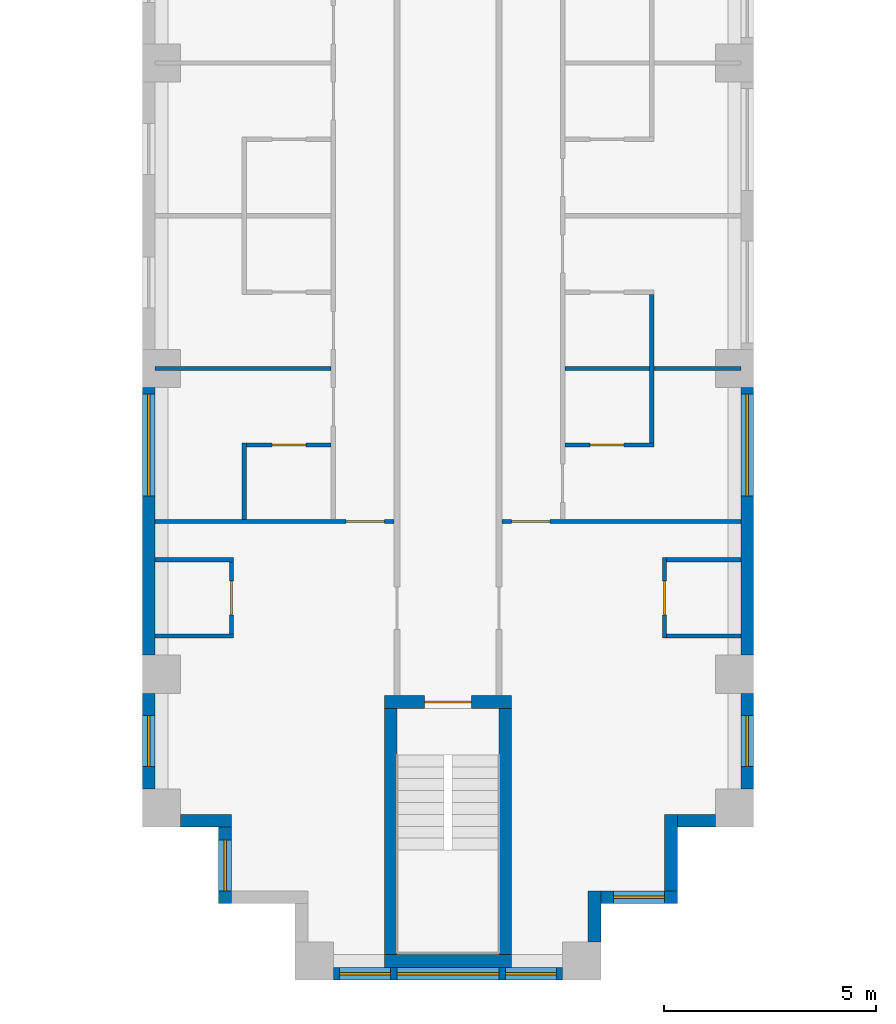
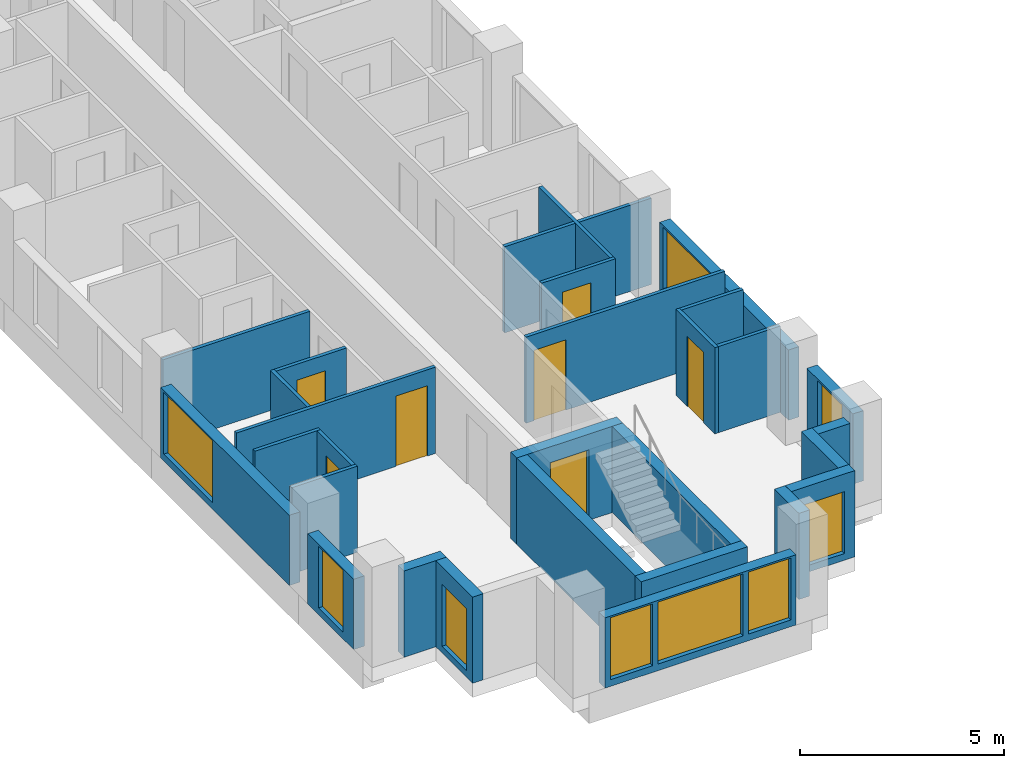
# One storey, part 3 of 14: 29 walls, 9 windows, 7 doors, 16 openings.
"""IFC4 building model written with IfcOpenShell, lengths in metres."""

from ifc_helpers import new_model, si_unit, direction, frame, frame_2d, origin, place, context, subcontext, project, spatial, rectangle, extrude, material, layer, layer_set, type_object, element, fill, save


model = new_model("IFC4")

# Units and contexts
model_context = context("Model", 3, precision=1e-05, world=origin(), true_north=direction((0.0, 1.0)))
body_context = subcontext(model_context, "Body", "Model", "MODEL_VIEW")
ifc_project = project(units=[si_unit("LENGTHUNIT", "METRE"), si_unit("AREAUNIT", "SQUARE_METRE"), si_unit("VOLUMEUNIT", "CUBIC_METRE"), si_unit("PLANEANGLEUNIT", "RADIAN"), si_unit("MASSUNIT", "GRAM", prefix="KILO")], contexts=[model_context])

# Site, building, storey
site_placement = place(None, origin())
site = spatial("IfcSite", under=ifc_project, at=site_placement, CompositionType="ELEMENT")
building_placement = place(site_placement, origin())
building = spatial("IfcBuilding", under=site, at=building_placement, Name="Fustian Cross Tower", CompositionType="ELEMENT")
storey_placement = place(building_placement, frame((0.0, 0.0, 69.89990234375)))
storey = spatial("IfcBuildingStorey", under=building, at=storey_placement, Name="L21", CompositionType="ELEMENT", Elevation=69.89990234375)

# Walls
ifc_material_1 = material(Name="Plasterboard on steel stud", Category="steel")
ifc_layer_1 = layer(ifc_material_1, 0.10009765625)
ifc_layer_set_1 = layer_set([ifc_layer_1], Name="Plasterboard on steel stud")
wall_type_1 = type_object("IfcWallType", Name="PARTITION 100 STUD", PredefinedType="PARTITIONING", material=ifc_layer_set_1)
for number, where, z_axis, x_axis, name in (
    (1, (-6.89990234375, -35.10009765625, 0.0), (0.0, 0.0, 1.0), (1.0, 0.0, 0.0), "Partition 18"),
    (2, (-6.89990234375, -33.300048828125, 0.0), (0.0, 0.0, 1.0), (1.0, 0.0, 0.0), "Partition 19"),
):
    element("IfcWall", number, at=place(storey_placement, frame(where, z_axis=z_axis, x_axis=x_axis)), inside=storey, type_object=wall_type_1, Name=name, PredefinedType="PARTITIONING", context=body_context, shape_type="SweptSolid", body=[
        extrude(rectangle(XDim=1.849853515625, YDim=0.10009765625, at=frame_2d((0.9248046875, 0.0))), origin(), (0.0, 0.0, 1.0), 2.5751953125),
    ])

# Wall, opening, door
wall_1_placement = place(storey_placement, frame((-6.89990234375, -32.39990234375, 0.0), z_axis=(0.0, 0.0, 1.0), x_axis=(1.0, 0.0, 0.0)))
wall_1 = element("IfcWall", 3, at=wall_1_placement, inside=storey, type_object=wall_type_1, Name="Partition 20", PredefinedType="PARTITIONING", context=body_context, shape_type="SweptSolid", body=[
    extrude(rectangle(XDim=5.625, YDim=0.10009765625, at=frame_2d((2.8125, 0.0))), origin(), (0.0, 0.0, 1.0), 2.5751953125),
])
opening_1_placement = place(wall_1_placement, frame((4.5, 0.0, 0.0)))
opening_1 = element("IfcOpeningElement", 4, at=opening_1_placement, cuts=wall_1, Name="Opening D11060", PredefinedType="OPENING", context=body_context, shape_type="SweptSolid", body=[
    extrude(rectangle(XDim=0.89990234375, YDim=2.10009765625, at=frame_2d((0.449951171875, 1.050048828125))), frame((0.0, 0.06005859375, 0.0), z_axis=(0.0, -1.0, 0.0), x_axis=(1.0, 0.0, 0.0)), (0.0, 0.0, 1.0), 0.1201171875),
])
ifc_material_2 = material(Name="Painted timber", Category="wood")
door_type_1 = type_object("IfcDoorType", Name="SWING DOOR 900", OperationType="SINGLE_SWING_LEFT", PredefinedType="DOOR", material=ifc_material_2)
door_1_placement = place(opening_1_placement, origin())
door_1 = element("IfcDoor", 5, at=door_1_placement, inside=storey, type_object=door_type_1, Name="Door D11060", OperationType="SINGLE_SWING_LEFT", OverallHeight=2.10009765625, OverallWidth=0.89990234375, PredefinedType="DOOR", context=body_context, shape_type="SweptSolid", body=[
    extrude(rectangle(XDim=0.89990234375, YDim=2.10009765625, at=frame_2d((0.449951171875, 1.050048828125))), frame((0.0, 0.02490234375, 0.0), z_axis=(0.0, -1.0, 0.0), x_axis=(1.0, 0.0, 0.0)), (0.0, 0.0, 1.0), 0.050048828125),
])
fill(opening_1, door_1)

# Wall
wall_2_placement = place(storey_placement, frame((-6.89990234375, -28.800048828125, 0.0), z_axis=(0.0, 0.0, 1.0), x_axis=(1.0, 0.0, 0.0)))
element("IfcWall", 6, at=wall_2_placement, inside=storey, type_object=wall_type_1, Name="Partition 21", PredefinedType="PARTITIONING", context=body_context, shape_type="SweptSolid", body=[
    extrude(rectangle(XDim=4.14990234375, YDim=0.10009765625, at=frame_2d((2.074951171875, 0.0))), origin(), (0.0, 0.0, 1.0), 2.5751953125),
])

# Wall, opening, door
wall_3_placement = place(storey_placement, frame((-5.10009765625, -35.050048828125, 0.0), z_axis=(0.0, 0.0, 1.0), x_axis=(0.0, 1.0, 0.0)))
wall_3 = element("IfcWall", 7, at=wall_3_placement, inside=storey, type_object=wall_type_1, Name="Partition 28", PredefinedType="PARTITIONING", context=body_context, shape_type="SweptSolid", body=[
    extrude(rectangle(XDim=1.699951171875, YDim=0.10009765625, at=frame_2d((0.85009765625, 0.0))), origin(), (0.0, 0.0, 1.0), 2.5751953125),
])
opening_2_placement = place(wall_3_placement, frame((0.449951171875, 0.0, 0.0)))
opening_2 = element("IfcOpeningElement", 8, at=opening_2_placement, cuts=wall_3, Name="Opening D11053", PredefinedType="OPENING", context=body_context, shape_type="SweptSolid", body=[
    extrude(rectangle(XDim=0.800048828125, YDim=2.10009765625, at=frame_2d((0.39990234375, 1.050048828125))), frame((0.0, 0.06005859375, 0.0), z_axis=(0.0, -1.0, 0.0), x_axis=(1.0, 0.0, 0.0)), (0.0, 0.0, 1.0), 0.1201171875),
])
ifc_material_3 = material(Name="Painted timber", Category="wood")
door_type_2 = type_object("IfcDoorType", Name="SWING DOOR 800", OperationType="SINGLE_SWING_LEFT", PredefinedType="DOOR", material=ifc_material_3)
door_2_placement = place(opening_2_placement, origin())
door_2 = element("IfcDoor", 9, at=door_2_placement, inside=storey, type_object=door_type_2, Name="Door D11053", OperationType="SINGLE_SWING_RIGHT", OverallHeight=2.10009765625, OverallWidth=0.800048828125, PredefinedType="DOOR", context=body_context, shape_type="SweptSolid", body=[
    extrude(rectangle(XDim=0.800048828125, YDim=2.10009765625, at=frame_2d((0.39990234375, 1.050048828125))), frame((0.0, 0.02490234375, 0.0), z_axis=(0.0, -1.0, 0.0), x_axis=(1.0, 0.0, 0.0)), (0.0, 0.0, 1.0), 0.050048828125),
])
fill(opening_2, door_2)

# Wall
wall_4_placement = place(storey_placement, frame((-4.800048828125, -32.35009765625, 0.0), z_axis=(0.0, 0.0, 1.0), x_axis=(0.0, 1.0, 0.0)))
element("IfcWall", 10, at=wall_4_placement, inside=storey, type_object=wall_type_1, Name="Partition 29", PredefinedType="PARTITIONING", context=body_context, shape_type="SweptSolid", body=[
    extrude(rectangle(XDim=1.800048828125, YDim=0.10009765625, at=frame_2d((0.89990234375, 0.0))), origin(), (0.0, 0.0, 1.0), 2.5751953125),
])

# Wall, opening, door
wall_5_placement = place(storey_placement, frame((-4.75, -30.60009765625, 0.0), z_axis=(0.0, 0.0, 1.0), x_axis=(1.0, 0.0, 0.0)))
wall_5 = element("IfcWall", 11, at=wall_5_placement, inside=storey, type_object=wall_type_1, Name="Partition 30", PredefinedType="PARTITIONING", context=body_context, shape_type="SweptSolid", body=[
    extrude(rectangle(XDim=2.0, YDim=0.10009765625, at=frame_2d((1.0, 0.0))), origin(), (0.0, 0.0, 1.0), 2.5751953125),
])
opening_3_placement = place(wall_5_placement, frame((0.60009765625, 0.0, 0.0)))
opening_3 = element("IfcOpeningElement", 12, at=opening_3_placement, cuts=wall_5, Name="Opening D11065", PredefinedType="OPENING", context=body_context, shape_type="SweptSolid", body=[
    extrude(rectangle(XDim=0.800048828125, YDim=2.10009765625, at=frame_2d((0.39990234375, 1.050048828125))), frame((0.0, 0.06005859375, 0.0), z_axis=(0.0, -1.0, 0.0), x_axis=(1.0, 0.0, 0.0)), (0.0, 0.0, 1.0), 0.1201171875),
])
door_3_placement = place(opening_3_placement, frame((0.800048828125, 0.0, 0.0), z_axis=(0.0, 0.0, 1.0), x_axis=(-1.0, 0.0, 0.0)))
door_3 = element("IfcDoor", 13, at=door_3_placement, inside=storey, type_object=door_type_2, Name="Door D11065", OperationType="SINGLE_SWING_RIGHT", OverallHeight=2.10009765625, OverallWidth=0.800048828125, PredefinedType="DOOR", context=body_context, shape_type="SweptSolid", body=[
    extrude(rectangle(XDim=0.800048828125, YDim=2.10009765625, at=frame_2d((0.39990234375, 1.050048828125))), frame((0.0, 0.02490234375, 0.0), z_axis=(0.0, -1.0, 0.0), x_axis=(1.0, 0.0, 0.0)), (0.0, 0.0, 1.0), 0.050048828125),
])
fill(opening_3, door_3)

wall_6_placement = place(storey_placement, frame((1.27490234375, -32.39990234375, 0.0), z_axis=(0.0, 0.0, 1.0), x_axis=(1.0, 0.0, 0.0)))
wall_6 = element("IfcWall", 14, at=wall_6_placement, inside=storey, type_object=wall_type_1, Name="Partition 53", PredefinedType="PARTITIONING", context=body_context, shape_type="SweptSolid", body=[
    extrude(rectangle(XDim=5.625, YDim=0.10009765625, at=frame_2d((2.8125, 0.0))), origin(), (0.0, 0.0, 1.0), 2.5751953125),
])
opening_4_placement = place(wall_6_placement, frame((0.22509765625, 0.0, 0.0)))
opening_4 = element("IfcOpeningElement", 15, at=opening_4_placement, cuts=wall_6, Name="Opening D11042", PredefinedType="OPENING", context=body_context, shape_type="SweptSolid", body=[
    extrude(rectangle(XDim=0.89990234375, YDim=2.10009765625, at=frame_2d((0.449951171875, 1.050048828125))), frame((0.0, 0.06005859375, 0.0), z_axis=(0.0, -1.0, 0.0), x_axis=(1.0, 0.0, 0.0)), (0.0, 0.0, 1.0), 0.1201171875),
])
door_4_placement = place(opening_4_placement, origin())
door_4 = element("IfcDoor", 16, at=door_4_placement, inside=storey, type_object=door_type_1, Name="Door D11042", OperationType="SINGLE_SWING_LEFT", OverallHeight=2.10009765625, OverallWidth=0.89990234375, PredefinedType="DOOR", context=body_context, shape_type="SweptSolid", body=[
    extrude(rectangle(XDim=0.89990234375, YDim=2.10009765625, at=frame_2d((0.449951171875, 1.050048828125))), frame((0.0, 0.02490234375, 0.0), z_axis=(0.0, -1.0, 0.0), x_axis=(1.0, 0.0, 0.0)), (0.0, 0.0, 1.0), 0.050048828125),
])
fill(opening_4, door_4)

wall_7_placement = place(storey_placement, frame((2.75, -30.60009765625, 0.0), z_axis=(0.0, 0.0, 1.0), x_axis=(1.0, 0.0, 0.0)))
wall_7 = element("IfcWall", 17, at=wall_7_placement, inside=storey, type_object=wall_type_1, Name="Partition 68", PredefinedType="PARTITIONING", context=body_context, shape_type="SweptSolid", body=[
    extrude(rectangle(XDim=2.10009765625, YDim=0.10009765625, at=frame_2d((1.050048828125, 0.0))), origin(), (0.0, 0.0, 1.0), 2.5751953125),
])
opening_5_placement = place(wall_7_placement, frame((0.60009765625, 0.0, 0.0)))
opening_5 = element("IfcOpeningElement", 18, at=opening_5_placement, cuts=wall_7, Name="Opening D11050", PredefinedType="OPENING", context=body_context, shape_type="SweptSolid", body=[
    extrude(rectangle(XDim=0.800048828125, YDim=2.10009765625, at=frame_2d((0.39990234375, 1.050048828125))), frame((0.0, 0.06005859375, 0.0), z_axis=(0.0, -1.0, 0.0), x_axis=(1.0, 0.0, 0.0)), (0.0, 0.0, 1.0), 0.1201171875),
])
door_5_placement = place(opening_5_placement, origin())
door_5 = element("IfcDoor", 19, at=door_5_placement, inside=storey, type_object=door_type_2, Name="Door D11050", OperationType="SINGLE_SWING_LEFT", OverallHeight=2.10009765625, OverallWidth=0.800048828125, PredefinedType="DOOR", context=body_context, shape_type="SweptSolid", body=[
    extrude(rectangle(XDim=0.800048828125, YDim=2.10009765625, at=frame_2d((0.39990234375, 1.050048828125))), frame((0.0, 0.02490234375, 0.0), z_axis=(0.0, -1.0, 0.0), x_axis=(1.0, 0.0, 0.0)), (0.0, 0.0, 1.0), 0.050048828125),
])
fill(opening_5, door_5)

# Walls
wall_8_placement = place(storey_placement, frame((2.75, -28.800048828125, 0.0), z_axis=(0.0, 0.0, 1.0), x_axis=(1.0, 0.0, 0.0)))
element("IfcWall", 20, at=wall_8_placement, inside=storey, type_object=wall_type_1, Name="Partition 69", PredefinedType="PARTITIONING", context=body_context, shape_type="SweptSolid", body=[
    extrude(rectangle(XDim=4.14990234375, YDim=0.10009765625, at=frame_2d((2.074951171875, 0.0))), origin(), (0.0, 0.0, 1.0), 2.5751953125),
])
wall_9_placement = place(storey_placement, frame((4.800048828125, -30.550048828125, 0.0), z_axis=(0.0, 0.0, 1.0), x_axis=(0.0, 1.0, 0.0)))
element("IfcWall", 21, at=wall_9_placement, inside=storey, type_object=wall_type_1, Name="Partition 78", PredefinedType="PARTITIONING", context=body_context, shape_type="SweptSolid", body=[
    extrude(rectangle(XDim=3.5, YDim=0.10009765625, at=frame_2d((1.75, 0.0))), origin(), (0.0, 0.0, 1.0), 2.5751953125),
])

# Wall, opening, door
wall_10_placement = place(storey_placement, frame((5.10009765625, -35.14990234375, 0.0), z_axis=(0.0, 0.0, 1.0), x_axis=(0.0, 1.0, 0.0)))
wall_10 = element("IfcWall", 22, at=wall_10_placement, inside=storey, type_object=wall_type_1, Name="Partition 80", PredefinedType="PARTITIONING", context=body_context, shape_type="SweptSolid", body=[
    extrude(rectangle(XDim=1.89990234375, YDim=0.10009765625, at=frame_2d((0.949951171875, 0.0))), origin(), (0.0, 0.0, 1.0), 2.5751953125),
])
opening_6_placement = place(wall_10_placement, frame((0.550048828125, 0.0, 0.0)))
opening_6 = element("IfcOpeningElement", 23, at=opening_6_placement, cuts=wall_10, Name="Opening D11040", PredefinedType="OPENING", context=body_context, shape_type="SweptSolid", body=[
    extrude(rectangle(XDim=0.800048828125, YDim=2.10009765625, at=frame_2d((0.39990234375, 1.050048828125))), frame((0.0, 0.06005859375, 0.0), z_axis=(0.0, -1.0, 0.0), x_axis=(1.0, 0.0, 0.0)), (0.0, 0.0, 1.0), 0.1201171875),
])
door_6_placement = place(opening_6_placement, frame((0.800048828125, 0.0, 0.0), z_axis=(0.0, 0.0, 1.0), x_axis=(-1.0, 0.0, 0.0)))
door_6 = element("IfcDoor", 24, at=door_6_placement, inside=storey, type_object=door_type_2, Name="Door D11040", OperationType="SINGLE_SWING_LEFT", OverallHeight=2.10009765625, OverallWidth=0.800048828125, PredefinedType="DOOR", context=body_context, shape_type="SweptSolid", body=[
    extrude(rectangle(XDim=0.800048828125, YDim=2.10009765625, at=frame_2d((0.39990234375, 1.050048828125))), frame((0.0, 0.02490234375, 0.0), z_axis=(0.0, -1.0, 0.0), x_axis=(1.0, 0.0, 0.0)), (0.0, 0.0, 1.0), 0.050048828125),
])
fill(opening_6, door_6)

# Walls
for number, where, z_axis, x_axis, name in (
    (25, (5.14990234375, -35.10009765625, 0.0), (0.0, 0.0, 1.0), (1.0, 0.0, 0.0), "Partition 81"),
    (26, (5.14990234375, -33.300048828125, 0.0), (0.0, 0.0, 1.0), (1.0, 0.0, 0.0), "Partition 82"),
):
    element("IfcWall", number, at=place(storey_placement, frame(where, z_axis=z_axis, x_axis=x_axis)), inside=storey, type_object=wall_type_1, Name=name, PredefinedType="PARTITIONING", context=body_context, shape_type="SweptSolid", body=[
        extrude(rectangle(XDim=1.75, YDim=0.10009765625, at=frame_2d((0.875, 0.0))), origin(), (0.0, 0.0, 1.0), 2.5751953125),
    ])

# Wall, opening, door
ifc_material_4 = material(Name="Concrete C50/60", Category="concrete")
ifc_layer_2 = layer(ifc_material_4, 0.300048828125)
ifc_layer_set_2 = layer_set([ifc_layer_2], Name="Concrete C50/60")
wall_type_2 = type_object("IfcWallType", Name="STAIR ENCLOSURE WALL 300 C50/60", PredefinedType="SHEAR", material=ifc_layer_set_2)
wall_11_placement = place(storey_placement, frame((-1.5, -36.64990234375, 0.0), z_axis=(0.0, 0.0, 1.0), x_axis=(1.0, 0.0, 0.0)))
wall_11 = element("IfcWall", 27, at=wall_11_placement, inside=storey, type_object=wall_type_2, Name="Stair enclosure wall", PredefinedType="SHEAR", context=body_context, shape_type="SweptSolid", body=[
    extrude(rectangle(XDim=3.0, YDim=0.300048828125, at=frame_2d((1.5, 0.0))), origin(), (0.0, 0.0, 1.0), 2.5751953125),
])
opening_7_placement = place(wall_11_placement, frame((0.949951171875, 0.0, 0.0)))
opening_7 = element("IfcOpeningElement", 28, at=opening_7_placement, cuts=wall_11, Name="Opening CD-09-29", PredefinedType="OPENING", context=body_context, shape_type="SweptSolid", body=[
    extrude(rectangle(XDim=1.10009765625, YDim=2.10009765625, at=frame_2d((0.550048828125, 1.050048828125))), frame((0.0, 0.159912109375, 0.0), z_axis=(0.0, -1.0, 0.0), x_axis=(1.0, 0.0, 0.0)), (0.0, 0.0, 1.0), 0.320068359375),
])
ifc_material_5 = material(Name="Steel", Category="steel")
door_type_3 = type_object("IfcDoorType", Name="FIRE DOOR FD60S 1100X2100", OperationType="SINGLE_SWING_LEFT", PredefinedType="DOOR", material=ifc_material_5)
door_7_placement = place(opening_7_placement, frame((1.10009765625, 0.0, 0.0), z_axis=(0.0, 0.0, 1.0), x_axis=(-1.0, 0.0, 0.0)))
door_7 = element("IfcDoor", 29, at=door_7_placement, inside=storey, type_object=door_type_3, Name="Core door CD-09-29", OperationType="SINGLE_SWING_RIGHT", OverallHeight=2.10009765625, OverallWidth=1.10009765625, PredefinedType="DOOR", context=body_context, shape_type="SweptSolid", body=[
    extrude(rectangle(XDim=1.10009765625, YDim=2.10009765625, at=frame_2d((0.550048828125, 1.050048828125))), frame((0.0, 0.02490234375, 0.0), z_axis=(0.0, -1.0, 0.0), x_axis=(1.0, 0.0, 0.0)), (0.0, 0.0, 1.0), 0.050048828125),
])
fill(opening_7, door_7)

# Walls
wall_12_placement = place(storey_placement, frame((-1.5, -42.75, 0.0), z_axis=(0.0, 0.0, 1.0), x_axis=(1.0, 0.0, 0.0)))
element("IfcWall", 30, at=wall_12_placement, inside=storey, type_object=wall_type_2, Name="Stair enclosure wall", PredefinedType="SHEAR", context=body_context, shape_type="SweptSolid", body=[
    extrude(rectangle(XDim=3.0, YDim=0.300048828125, at=frame_2d((1.5, 0.0))), origin(), (0.0, 0.0, 1.0), 2.5751953125),
])
for number, where, z_axis, x_axis, name in (
    (31, (-1.35009765625, -36.800048828125, 0.0), (0.0, 0.0, 1.0), (0.0, -1.0, 0.0), "Stair enclosure wall"),
    (32, (1.35009765625, -36.800048828125, 0.0), (0.0, 0.0, 1.0), (0.0, -1.0, 0.0), "Stair enclosure wall"),
):
    element("IfcWall", number, at=place(storey_placement, frame(where, z_axis=z_axis, x_axis=x_axis)), inside=storey, type_object=wall_type_2, Name=name, PredefinedType="SHEAR", context=body_context, shape_type="SweptSolid", body=[
        extrude(rectangle(XDim=5.800048828125, YDim=0.300048828125, at=frame_2d((2.89990234375, 0.0))), origin(), (0.0, 0.0, 1.0), 2.5751953125),
    ])

# Wall, opening, window
ifc_material_6 = material(Name="Dark aluminium cladding on insulated backing wall", Category="aluminium")
ifc_layer_3 = layer(ifc_material_6, 0.300048828125)
ifc_layer_set_3 = layer_set([ifc_layer_3], Name="Dark aluminium cladding on insulated backing wall")
wall_type_3 = type_object("IfcWallType", Name="XW1 EXTERNAL WALL 300", PredefinedType="SOLIDWALL", material=ifc_layer_set_3)
wall_13_placement = place(storey_placement, frame((-7.050048828125, -29.25, 0.0), z_axis=(0.0, 0.0, 1.0), x_axis=(0.0, -1.0, 0.0)))
wall_13 = element("IfcWall", 33, at=wall_13_placement, inside=storey, type_object=wall_type_3, Name="External wall", PredefinedType="SOLIDWALL", context=body_context, shape_type="SweptSolid", body=[
    extrude(rectangle(XDim=6.300048828125, YDim=0.300048828125, at=frame_2d((3.14990234375, 0.0))), origin(), (0.0, 0.0, 1.0), 2.10009765625),
])
opening_8_placement = place(wall_13_placement, frame((0.14990234375, 0.0, 0.199951171875)))
opening_8 = element("IfcOpeningElement", 34, at=opening_8_placement, cuts=wall_13, Name="Opening WN1", PredefinedType="OPENING", context=body_context, shape_type="SweptSolid", body=[
    extrude(rectangle(XDim=2.39990234375, YDim=1.85009765625, at=frame_2d((1.199951171875, 0.925048828125))), frame((0.0, 0.159912109375, 0.0), z_axis=(0.0, -1.0, 0.0), x_axis=(1.0, 0.0, 0.0)), (0.0, 0.0, 1.0), 0.320068359375),
])
ifc_material_7 = material(Name="Dark anodised aluminium and double glazing", Category="aluminium")
window_type_1 = type_object("IfcWindowType", Name="WN1 WINDOW 2400X1850", PartitioningType="SINGLE_PANEL", PredefinedType="WINDOW", material=ifc_material_7)
window_1_placement = place(opening_8_placement, origin())
window_1 = element("IfcWindow", 35, at=window_1_placement, inside=storey, type_object=window_type_1, Name="Window", OverallHeight=1.85009765625, OverallWidth=2.39990234375, PartitioningType="SINGLE_PANEL", PredefinedType="WINDOW", context=body_context, shape_type="SweptSolid", body=[
    extrude(rectangle(XDim=2.39990234375, YDim=1.85009765625, at=frame_2d((1.199951171875, 0.925048828125))), frame((0.0, 0.030029296875, 0.0), z_axis=(0.0, -1.0, 0.0), x_axis=(1.0, 0.0, 0.0)), (0.0, 0.0, 1.0), 0.06005859375),
])
fill(opening_8, window_1)

wall_14_placement = place(storey_placement, frame((-7.050048828125, -36.449951171875, 0.0), z_axis=(0.0, 0.0, 1.0), x_axis=(0.0, -1.0, 0.0)))
wall_14 = element("IfcWall", 36, at=wall_14_placement, inside=storey, type_object=wall_type_3, Name="External wall", PredefinedType="SOLIDWALL", context=body_context, shape_type="SweptSolid", body=[
    extrude(rectangle(XDim=2.25, YDim=0.300048828125, at=frame_2d((1.125, 0.0))), origin(), (0.0, 0.0, 1.0), 2.10009765625),
])
opening_9_placement = place(wall_14_placement, frame((0.52490234375, 0.0, 0.199951171875)))
opening_9 = element("IfcOpeningElement", 37, at=opening_9_placement, cuts=wall_14, Name="Opening WN3", PredefinedType="OPENING", context=body_context, shape_type="SweptSolid", body=[
    extrude(rectangle(XDim=1.199951171875, YDim=1.85009765625, at=frame_2d((0.60009765625, 0.925048828125))), frame((0.0, 0.159912109375, 0.0), z_axis=(0.0, -1.0, 0.0), x_axis=(1.0, 0.0, 0.0)), (0.0, 0.0, 1.0), 0.320068359375),
])
ifc_material_8 = material(Name="Dark anodised aluminium and double glazing", Category="aluminium")
window_type_2 = type_object("IfcWindowType", Name="WN3 WINDOW 1200X1850", PartitioningType="SINGLE_PANEL", PredefinedType="WINDOW", material=ifc_material_8)
window_2_placement = place(opening_9_placement, origin())
window_2 = element("IfcWindow", 38, at=window_2_placement, inside=storey, type_object=window_type_2, Name="Window", OverallHeight=1.85009765625, OverallWidth=1.199951171875, PartitioningType="SINGLE_PANEL", PredefinedType="WINDOW", context=body_context, shape_type="SweptSolid", body=[
    extrude(rectangle(XDim=1.199951171875, YDim=1.85009765625, at=frame_2d((0.60009765625, 0.925048828125))), frame((0.0, 0.030029296875, 0.0), z_axis=(0.0, -1.0, 0.0), x_axis=(1.0, 0.0, 0.0)), (0.0, 0.0, 1.0), 0.06005859375),
])
fill(opening_9, window_2)

# Wall
wall_15_placement = place(storey_placement, frame((-6.300048828125, -39.449951171875, 0.0), z_axis=(0.0, 0.0, 1.0), x_axis=(1.0, 0.0, 0.0)))
element("IfcWall", 39, at=wall_15_placement, inside=storey, type_object=wall_type_3, Name="External wall", PredefinedType="SOLIDWALL", context=body_context, shape_type="SweptSolid", body=[
    extrude(rectangle(XDim=1.199951171875, YDim=0.300048828125, at=frame_2d((0.60009765625, 0.0))), origin(), (0.0, 0.0, 1.0), 2.5751953125),
])

# Wall, opening, window
wall_16_placement = place(storey_placement, frame((-5.25, -39.60009765625, 0.0), z_axis=(0.0, 0.0, 1.0), x_axis=(0.0, -1.0, 0.0)))
wall_16 = element("IfcWall", 40, at=wall_16_placement, inside=storey, type_object=wall_type_3, Name="External wall", PredefinedType="SOLIDWALL", context=body_context, shape_type="SweptSolid", body=[
    extrude(rectangle(XDim=1.7998046875, YDim=0.300048828125, at=frame_2d((0.89990234375, 0.0))), origin(), (0.0, 0.0, 1.0), 2.5751953125),
])
opening_10_placement = place(wall_16_placement, frame((0.300048828125, 0.0, 0.199951171875)))
opening_10 = element("IfcOpeningElement", 41, at=opening_10_placement, cuts=wall_16, Name="Opening WN3", PredefinedType="OPENING", context=body_context, shape_type="SweptSolid", body=[
    extrude(rectangle(XDim=1.199951171875, YDim=1.85009765625, at=frame_2d((0.60009765625, 0.925048828125))), frame((0.0, 0.159912109375, 0.0), z_axis=(0.0, -1.0, 0.0), x_axis=(1.0, 0.0, 0.0)), (0.0, 0.0, 1.0), 0.320068359375),
])
window_3_placement = place(opening_10_placement, origin())
window_3 = element("IfcWindow", 42, at=window_3_placement, inside=storey, type_object=window_type_2, Name="Window", OverallHeight=1.85009765625, OverallWidth=1.199951171875, PartitioningType="SINGLE_PANEL", PredefinedType="WINDOW", context=body_context, shape_type="SweptSolid", body=[
    extrude(rectangle(XDim=1.199951171875, YDim=1.85009765625, at=frame_2d((0.60009765625, 0.925048828125))), frame((0.0, 0.030029296875, 0.0), z_axis=(0.0, -1.0, 0.0), x_axis=(1.0, 0.0, 0.0)), (0.0, 0.0, 1.0), 0.06005859375),
])
fill(opening_10, window_3)

# Wall, openings, windows
wall_17_placement = place(storey_placement, frame((-2.699951171875, -43.050048828125, 0.0), z_axis=(0.0, 0.0, 1.0), x_axis=(1.0, 0.0, 0.0)))
wall_17 = element("IfcWall", 43, at=wall_17_placement, inside=storey, type_object=wall_type_3, Name="External wall", PredefinedType="SOLIDWALL", context=body_context, shape_type="SweptSolid", body=[
    extrude(rectangle(XDim=5.39990234375, YDim=0.300048828125, at=frame_2d((2.699951171875, 0.0))), origin(), (0.0, 0.0, 1.0), 2.10009765625),
])
opening_11_placement = place(wall_17_placement, frame((1.5, 0.0, 0.199951171875)))
opening_11 = element("IfcOpeningElement", 44, at=opening_11_placement, cuts=wall_17, Name="Opening WN1", PredefinedType="OPENING", context=body_context, shape_type="SweptSolid", body=[
    extrude(rectangle(XDim=2.39990234375, YDim=1.85009765625, at=frame_2d((1.199951171875, 0.925048828125))), frame((0.0, 0.159912109375, 0.0), z_axis=(0.0, -1.0, 0.0), x_axis=(1.0, 0.0, 0.0)), (0.0, 0.0, 1.0), 0.320068359375),
])
opening_12_placement = place(wall_17_placement, frame((0.14990234375, 0.0, 0.199951171875)))
opening_12 = element("IfcOpeningElement", 45, at=opening_12_placement, cuts=wall_17, Name="Opening WN3", PredefinedType="OPENING", context=body_context, shape_type="SweptSolid", body=[
    extrude(rectangle(XDim=1.199951171875, YDim=1.85009765625, at=frame_2d((0.60009765625, 0.925048828125))), frame((0.0, 0.159912109375, 0.0), z_axis=(0.0, -1.0, 0.0), x_axis=(1.0, 0.0, 0.0)), (0.0, 0.0, 1.0), 0.320068359375),
])
opening_13_placement = place(wall_17_placement, frame((4.050048828125, 0.0, 0.199951171875)))
opening_13 = element("IfcOpeningElement", 46, at=opening_13_placement, cuts=wall_17, Name="Opening WN3", PredefinedType="OPENING", context=body_context, shape_type="SweptSolid", body=[
    extrude(rectangle(XDim=1.199951171875, YDim=1.85009765625, at=frame_2d((0.60009765625, 0.925048828125))), frame((0.0, 0.159912109375, 0.0), z_axis=(0.0, -1.0, 0.0), x_axis=(1.0, 0.0, 0.0)), (0.0, 0.0, 1.0), 0.320068359375),
])
window_4_placement = place(opening_11_placement, origin())
window_4 = element("IfcWindow", 47, at=window_4_placement, inside=storey, type_object=window_type_1, Name="Window", OverallHeight=1.85009765625, OverallWidth=2.39990234375, PartitioningType="SINGLE_PANEL", PredefinedType="WINDOW", context=body_context, shape_type="SweptSolid", body=[
    extrude(rectangle(XDim=2.39990234375, YDim=1.85009765625, at=frame_2d((1.199951171875, 0.925048828125))), frame((0.0, 0.030029296875, 0.0), z_axis=(0.0, -1.0, 0.0), x_axis=(1.0, 0.0, 0.0)), (0.0, 0.0, 1.0), 0.06005859375),
])
fill(opening_11, window_4)
window_5_placement = place(opening_12_placement, origin())
window_5 = element("IfcWindow", 48, at=window_5_placement, inside=storey, type_object=window_type_2, Name="Window", OverallHeight=1.85009765625, OverallWidth=1.199951171875, PartitioningType="SINGLE_PANEL", PredefinedType="WINDOW", context=body_context, shape_type="SweptSolid", body=[
    extrude(rectangle(XDim=1.199951171875, YDim=1.85009765625, at=frame_2d((0.60009765625, 0.925048828125))), frame((0.0, 0.030029296875, 0.0), z_axis=(0.0, -1.0, 0.0), x_axis=(1.0, 0.0, 0.0)), (0.0, 0.0, 1.0), 0.06005859375),
])
fill(opening_12, window_5)
window_6_placement = place(opening_13_placement, origin())
window_6 = element("IfcWindow", 49, at=window_6_placement, inside=storey, type_object=window_type_2, Name="Window", OverallHeight=1.85009765625, OverallWidth=1.199951171875, PartitioningType="SINGLE_PANEL", PredefinedType="WINDOW", context=body_context, shape_type="SweptSolid", body=[
    extrude(rectangle(XDim=1.199951171875, YDim=1.85009765625, at=frame_2d((0.60009765625, 0.925048828125))), frame((0.0, 0.030029296875, 0.0), z_axis=(0.0, -1.0, 0.0), x_axis=(1.0, 0.0, 0.0)), (0.0, 0.0, 1.0), 0.06005859375),
])
fill(opening_13, window_6)

# Wall
wall_18_placement = place(storey_placement, frame((3.449951171875, -42.300048828125, 0.0), z_axis=(0.0, 0.0, 1.0), x_axis=(0.0, 1.0, 0.0)))
element("IfcWall", 50, at=wall_18_placement, inside=storey, type_object=wall_type_3, Name="External wall", PredefinedType="SOLIDWALL", context=body_context, shape_type="SweptSolid", body=[
    extrude(rectangle(XDim=1.199951171875, YDim=0.300048828125, at=frame_2d((0.60009765625, 0.0))), origin(), (0.0, 0.0, 1.0), 2.5751953125),
])

# Wall, opening, window
wall_19_placement = place(storey_placement, frame((3.60009765625, -41.25, 0.0), z_axis=(0.0, 0.0, 1.0), x_axis=(1.0, 0.0, 0.0)))
wall_19 = element("IfcWall", 51, at=wall_19_placement, inside=storey, type_object=wall_type_3, Name="External wall", PredefinedType="SOLIDWALL", context=body_context, shape_type="SweptSolid", body=[
    extrude(rectangle(XDim=1.7998046875, YDim=0.300048828125, at=frame_2d((0.89990234375, 0.0))), origin(), (0.0, 0.0, 1.0), 2.5751953125),
])
opening_14_placement = place(wall_19_placement, frame((0.300048828125, 0.0, 0.199951171875)))
opening_14 = element("IfcOpeningElement", 52, at=opening_14_placement, cuts=wall_19, Name="Opening WN3", PredefinedType="OPENING", context=body_context, shape_type="SweptSolid", body=[
    extrude(rectangle(XDim=1.199951171875, YDim=1.85009765625, at=frame_2d((0.60009765625, 0.925048828125))), frame((0.0, 0.159912109375, 0.0), z_axis=(0.0, -1.0, 0.0), x_axis=(1.0, 0.0, 0.0)), (0.0, 0.0, 1.0), 0.320068359375),
])
window_7_placement = place(opening_14_placement, origin())
window_7 = element("IfcWindow", 53, at=window_7_placement, inside=storey, type_object=window_type_2, Name="Window", OverallHeight=1.85009765625, OverallWidth=1.199951171875, PartitioningType="SINGLE_PANEL", PredefinedType="WINDOW", context=body_context, shape_type="SweptSolid", body=[
    extrude(rectangle(XDim=1.199951171875, YDim=1.85009765625, at=frame_2d((0.60009765625, 0.925048828125))), frame((0.0, 0.030029296875, 0.0), z_axis=(0.0, -1.0, 0.0), x_axis=(1.0, 0.0, 0.0)), (0.0, 0.0, 1.0), 0.06005859375),
])
fill(opening_14, window_7)

# Walls
wall_20_placement = place(storey_placement, frame((5.25, -41.10009765625, 0.0), z_axis=(0.0, 0.0, 1.0), x_axis=(0.0, 1.0, 0.0)))
element("IfcWall", 54, at=wall_20_placement, inside=storey, type_object=wall_type_3, Name="External wall", PredefinedType="SOLIDWALL", context=body_context, shape_type="SweptSolid", body=[
    extrude(rectangle(XDim=1.800048828125, YDim=0.300048828125, at=frame_2d((0.89990234375, 0.0))), origin(), (0.0, 0.0, 1.0), 2.5751953125),
])
wall_21_placement = place(storey_placement, frame((5.39990234375, -39.449951171875, 0.0), z_axis=(0.0, 0.0, 1.0), x_axis=(1.0, 0.0, 0.0)))
element("IfcWall", 55, at=wall_21_placement, inside=storey, type_object=wall_type_3, Name="External wall", PredefinedType="SOLIDWALL", context=body_context, shape_type="SweptSolid", body=[
    extrude(rectangle(XDim=0.900146484375, YDim=0.300048828125, at=frame_2d((0.4501953125, 0.0))), origin(), (0.0, 0.0, 1.0), 2.5751953125),
])

# Wall, opening, window
wall_22_placement = place(storey_placement, frame((7.050048828125, -38.699951171875, 0.0), z_axis=(0.0, 0.0, 1.0), x_axis=(0.0, 1.0, 0.0)))
wall_22 = element("IfcWall", 56, at=wall_22_placement, inside=storey, type_object=wall_type_3, Name="External wall", PredefinedType="SOLIDWALL", context=body_context, shape_type="SweptSolid", body=[
    extrude(rectangle(XDim=2.25, YDim=0.300048828125, at=frame_2d((1.125, 0.0))), origin(), (0.0, 0.0, 1.0), 2.10009765625),
])
opening_15_placement = place(wall_22_placement, frame((0.52490234375, 0.0, 0.199951171875)))
opening_15 = element("IfcOpeningElement", 57, at=opening_15_placement, cuts=wall_22, Name="Opening WN3", PredefinedType="OPENING", context=body_context, shape_type="SweptSolid", body=[
    extrude(rectangle(XDim=1.199951171875, YDim=1.85009765625, at=frame_2d((0.60009765625, 0.925048828125))), frame((0.0, 0.159912109375, 0.0), z_axis=(0.0, -1.0, 0.0), x_axis=(1.0, 0.0, 0.0)), (0.0, 0.0, 1.0), 0.320068359375),
])
window_8_placement = place(opening_15_placement, origin())
window_8 = element("IfcWindow", 58, at=window_8_placement, inside=storey, type_object=window_type_2, Name="Window", OverallHeight=1.85009765625, OverallWidth=1.199951171875, PartitioningType="SINGLE_PANEL", PredefinedType="WINDOW", context=body_context, shape_type="SweptSolid", body=[
    extrude(rectangle(XDim=1.199951171875, YDim=1.85009765625, at=frame_2d((0.60009765625, 0.925048828125))), frame((0.0, 0.030029296875, 0.0), z_axis=(0.0, -1.0, 0.0), x_axis=(1.0, 0.0, 0.0)), (0.0, 0.0, 1.0), 0.06005859375),
])
fill(opening_15, window_8)

wall_23_placement = place(storey_placement, frame((7.050048828125, -35.550048828125, 0.0), z_axis=(0.0, 0.0, 1.0), x_axis=(0.0, 1.0, 0.0)))
wall_23 = element("IfcWall", 59, at=wall_23_placement, inside=storey, type_object=wall_type_3, Name="External wall", PredefinedType="SOLIDWALL", context=body_context, shape_type="SweptSolid", body=[
    extrude(rectangle(XDim=6.300048828125, YDim=0.300048828125, at=frame_2d((3.14990234375, 0.0))), origin(), (0.0, 0.0, 1.0), 2.10009765625),
])
opening_16_placement = place(wall_23_placement, frame((3.75, 0.0, 0.199951171875)))
opening_16 = element("IfcOpeningElement", 60, at=opening_16_placement, cuts=wall_23, Name="Opening WN1", PredefinedType="OPENING", context=body_context, shape_type="SweptSolid", body=[
    extrude(rectangle(XDim=2.39990234375, YDim=1.85009765625, at=frame_2d((1.199951171875, 0.925048828125))), frame((0.0, 0.159912109375, 0.0), z_axis=(0.0, -1.0, 0.0), x_axis=(1.0, 0.0, 0.0)), (0.0, 0.0, 1.0), 0.320068359375),
])
window_9_placement = place(opening_16_placement, origin())
window_9 = element("IfcWindow", 61, at=window_9_placement, inside=storey, type_object=window_type_1, Name="Window", OverallHeight=1.85009765625, OverallWidth=2.39990234375, PartitioningType="SINGLE_PANEL", PredefinedType="WINDOW", context=body_context, shape_type="SweptSolid", body=[
    extrude(rectangle(XDim=2.39990234375, YDim=1.85009765625, at=frame_2d((1.199951171875, 0.925048828125))), frame((0.0, 0.030029296875, 0.0), z_axis=(0.0, -1.0, 0.0), x_axis=(1.0, 0.0, 0.0)), (0.0, 0.0, 1.0), 0.06005859375),
])
fill(opening_16, window_9)

save(model, "model.ifc")
